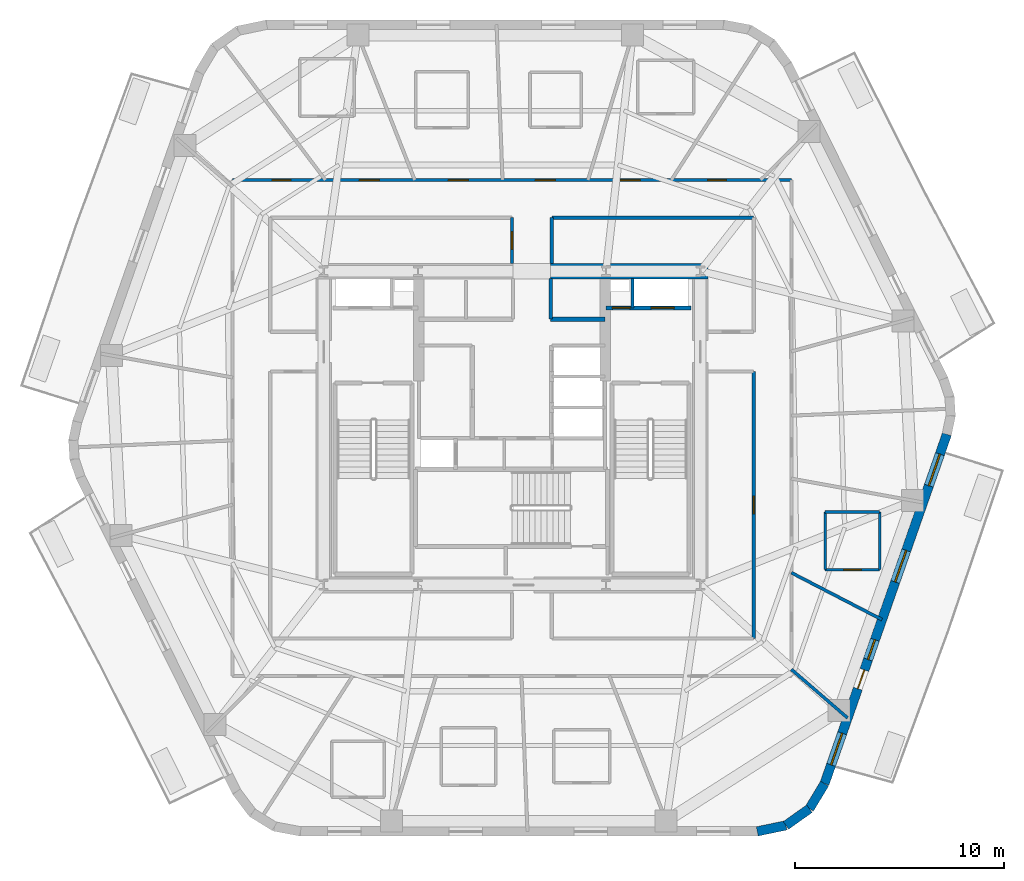
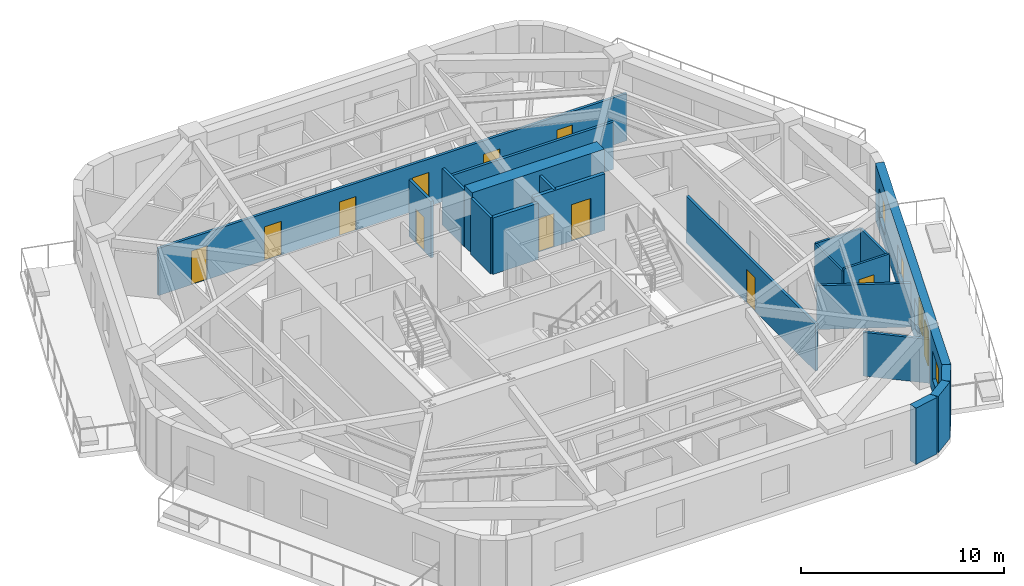
# One storey, part 5 of 10: 20 walls, 12 doors, 4 windows, 16 openings.
"""IFC4 building model written with IfcOpenShell, lengths in metres."""

from ifc_helpers import new_model, si_unit, direction, frame, frame_2d, origin, place, context, subcontext, project, spatial, rectangle, extrude, material, layer, layer_set, type_object, element, fill, save


model = new_model("IFC4")

# Units and contexts
model_context = context("Model", 3, precision=1e-05, world=origin(), true_north=direction((0.0, 1.0)))
body_context = subcontext(model_context, "Body", "Model", "MODEL_VIEW")
ifc_project = project(units=[si_unit("LENGTHUNIT", "METRE"), si_unit("AREAUNIT", "SQUARE_METRE"), si_unit("VOLUMEUNIT", "CUBIC_METRE"), si_unit("PLANEANGLEUNIT", "RADIAN"), si_unit("MASSUNIT", "GRAM", prefix="KILO")], contexts=[model_context])

# Site, building, storey
site_placement = place(None, origin())
site = spatial("IfcSite", under=ifc_project, at=site_placement, CompositionType="ELEMENT")
building_placement = place(site_placement, origin())
building = spatial("IfcBuilding", under=site, at=building_placement, Name="Kilnhurst Terrace Hotel", CompositionType="ELEMENT")
storey_placement = place(building_placement, frame((0.0, 0.0, 179.300048828125)))
storey = spatial("IfcBuildingStorey", under=building, at=storey_placement, Name="L44", CompositionType="ELEMENT", Elevation=179.300048828125)

# Walls
ifc_material_1 = material(Name="Precast concrete C40/50", Category="concrete")
ifc_layer_1 = layer(ifc_material_1, 0.449951171875, Name="Precast concrete C40/50")
ifc_layer_set_1 = layer_set([ifc_layer_1], Name="Precast concrete C40/50")
wall_type_1 = type_object("IfcWallType", Name="WL-BRK-450", PredefinedType="SOLIDWALL", material=ifc_layer_set_1)
wall_1_placement = place(storey_placement, frame((11.720458984375, -19.27490234375, 0.0), z_axis=(0.0, 0.0, 1.0), x_axis=(0.97893106758, 0.204191001093, 0.0)))
element("IfcWall", 1, at=wall_1_placement, inside=storey, type_object=wall_type_1, Name="L44 Rounded Corner Brick Wall C2.1", PredefinedType="SOLIDWALL", context=body_context, shape_type="SweptSolid", body=[
    extrude(rectangle(XDim=1.400146484375, YDim=0.449951171875, at=frame_2d((0.7001953125, 0.0))), origin(), (0.0, 0.0, 1.0), 3.39990234375),
])
wall_2_placement = place(storey_placement, frame((13.091064453125, -18.989013671875, 0.0), z_axis=(0.0, 0.0, 1.0), x_axis=(0.815574637848, 0.578651890258, 0.0)))
element("IfcWall", 2, at=wall_2_placement, inside=storey, type_object=wall_type_1, Name="L44 Rounded Corner Brick Wall C2.2", PredefinedType="SOLIDWALL", context=body_context, shape_type="SweptSolid", body=[
    extrude(rectangle(XDim=1.376708984375, YDim=0.449951171875, at=frame_2d((0.6884765625, 0.0))), origin(), (0.0, 0.0, 1.0), 3.39990234375),
])
wall_3_placement = place(storey_placement, frame((14.2138671875, -18.1923828125, 0.0), z_axis=(0.0, 0.0, 1.0), x_axis=(0.516340945502, 0.856383108193, 0.0)))
element("IfcWall", 3, at=wall_3_placement, inside=storey, type_object=wall_type_1, Name="L44 Rounded Corner Brick Wall C2.3", PredefinedType="SOLIDWALL", context=body_context, shape_type="SweptSolid", body=[
    extrude(rectangle(XDim=1.400146484375, YDim=0.449951171875, at=frame_2d((0.7001953125, 0.0))), origin(), (0.0, 0.0, 1.0), 3.39990234375),
])

# Wall, openings, door, windows
wall_4_placement = place(storey_placement, frame((14.936767578125, -16.993408203125, 0.0), z_axis=(0.0, 0.0, 1.0), x_axis=(0.330431575061, 0.943829949834, 0.0)))
wall_4 = element("IfcWall", 4, at=wall_4_placement, inside=storey, type_object=wall_type_1, Name="L44 Exterior Brick Facade Wall F2", PredefinedType="SOLIDWALL", context=body_context, shape_type="SweptSolid", body=[
    extrude(rectangle(XDim=17.68896484375, YDim=0.449951171875, at=frame_2d((8.844482421875, 0.0))), origin(), (0.0, 0.0, 1.0), 3.39990234375),
])
opening_1_placement = place(wall_4_placement, frame((4.806884765625, 0.0, 0.0)))
opening_1 = element("IfcOpeningElement", 5, at=opening_1_placement, cuts=wall_4, Name="Opening BD-950", PredefinedType="OPENING", context=body_context, shape_type="SweptSolid", body=[
    extrude(rectangle(XDim=0.949951171875, YDim=2.14990234375, at=frame_2d((0.47509765625, 1.074951171875))), frame((0.0, 0.23486328125, 0.0), z_axis=(0.0, -1.0, 0.0), x_axis=(1.0, 0.0, 0.0)), (0.0, 0.0, 1.0), 0.469970703125),
])
opening_2_placement = place(wall_4_placement, frame((0.949951171875, 0.0, 0.800048828125)))
opening_2 = element("IfcOpeningElement", 6, at=opening_2_placement, cuts=wall_4, Name="Opening W-05", PredefinedType="OPENING", context=body_context, shape_type="SweptSolid", body=[
    extrude(rectangle(XDim=1.60009765625, YDim=1.75, at=frame_2d((0.800048828125, 0.875))), frame((0.0, 0.23486328125, 0.0), z_axis=(0.0, -1.0, 0.0), x_axis=(1.0, 0.0, 0.0)), (0.0, 0.0, 1.0), 0.469970703125),
])
opening_3_placement = place(wall_4_placement, frame((6.285888671875, 0.0, 0.800048828125)))
opening_3 = element("IfcOpeningElement", 7, at=opening_3_placement, cuts=wall_4, Name="Opening W-08", PredefinedType="OPENING", context=body_context, shape_type="SweptSolid", body=[
    extrude(rectangle(XDim=1.0, YDim=1.64990234375, at=frame_2d((0.5, 0.824951171875))), frame((0.0, 0.23486328125, 0.0), z_axis=(0.0, -1.0, 0.0), x_axis=(1.0, 0.0, 0.0)), (0.0, 0.0, 1.0), 0.469970703125),
])
opening_4_placement = place(wall_4_placement, frame((10.2099609375, 0.0, 0.800048828125)))
opening_4 = element("IfcOpeningElement", 8, at=opening_4_placement, cuts=wall_4, Name="Opening W-05", PredefinedType="OPENING", context=body_context, shape_type="SweptSolid", body=[
    extrude(rectangle(XDim=1.60009765625, YDim=1.75, at=frame_2d((0.800048828125, 0.875))), frame((0.0, 0.23486328125, 0.0), z_axis=(0.0, -1.0, 0.0), x_axis=(1.0, 0.0, 0.0)), (0.0, 0.0, 1.0), 0.469970703125),
])
opening_5_placement = place(wall_4_placement, frame((15.083984375, 0.0, 0.800048828125)))
opening_5 = element("IfcOpeningElement", 9, at=opening_5_placement, cuts=wall_4, Name="Opening W-05", PredefinedType="OPENING", context=body_context, shape_type="SweptSolid", body=[
    extrude(rectangle(XDim=1.60009765625, YDim=1.75, at=frame_2d((0.800048828125, 0.875))), frame((0.0, 0.23486328125, 0.0), z_axis=(0.0, -1.0, 0.0), x_axis=(1.0, 0.0, 0.0)), (0.0, 0.0, 1.0), 0.469970703125),
])
ifc_material_2 = material(Name="Thermally Broken Bronze Aluminium Alloy 6063-T6 and Laminated Glass", Category="aluminium")
door_type_1 = type_object("IfcDoorType", Name="DR-EXT-BAL-950", OperationType="NOTDEFINED", PredefinedType="DOOR", material=ifc_material_2)
door_1_placement = place(opening_1_placement, origin())
door_1 = element("IfcDoor", 10, at=door_1_placement, inside=storey, type_object=door_type_1, Name="L44 Planted Balcony Door BAL-L1A", OperationType="SINGLE_SWING_RIGHT", OverallHeight=2.14990234375, OverallWidth=0.949951171875, PredefinedType="DOOR", context=body_context, shape_type="SweptSolid", body=[
    extrude(rectangle(XDim=0.949951171875, YDim=2.14990234375, at=frame_2d((0.47509765625, 1.074951171875))), frame((0.0, 0.02490234375, 0.0), z_axis=(0.0, -1.0, 0.0), x_axis=(1.0, 0.0, 0.0)), (0.0, 0.0, 1.0), 0.050048828125),
])
fill(opening_1, door_1)
ifc_material_3 = material(Name="Thermally Broken Bronze Aluminium Alloy 6063-T6 and Low-E Glass", Category="aluminium")
window_type_1 = type_object("IfcWindowType", Name="WIN-1000X1650", PartitioningType="SINGLE_PANEL", PredefinedType="WINDOW", material=ifc_material_3)
window_1_placement = place(opening_3_placement, origin())
window_1 = element("IfcWindow", 11, at=window_1_placement, inside=storey, type_object=window_type_1, Name="L44 Deep-Set Masonry Window F2.2", OverallHeight=1.64990234375, OverallWidth=1.0, PartitioningType="SINGLE_PANEL", PredefinedType="WINDOW", context=body_context, shape_type="SweptSolid", body=[
    extrude(rectangle(XDim=1.0, YDim=1.64990234375, at=frame_2d((0.5, 0.824951171875))), frame((0.0, 0.030029296875, 0.0), z_axis=(0.0, -1.0, 0.0), x_axis=(1.0, 0.0, 0.0)), (0.0, 0.0, 1.0), 0.06005859375),
])
fill(opening_3, window_1)
window_type_2 = type_object("IfcWindowType", Name="WIN-1600X1750", PartitioningType="SINGLE_PANEL", PredefinedType="WINDOW", material=ifc_material_3)
window_2_placement = place(opening_2_placement, origin())
window_2 = element("IfcWindow", 12, at=window_2_placement, inside=storey, type_object=window_type_2, Name="L44 Deep-Set Masonry Window F2.1", OverallHeight=1.75, OverallWidth=1.60009765625, PartitioningType="SINGLE_PANEL", PredefinedType="WINDOW", context=body_context, shape_type="SweptSolid", body=[
    extrude(rectangle(XDim=1.60009765625, YDim=1.75, at=frame_2d((0.800048828125, 0.875))), frame((0.0, 0.030029296875, 0.0), z_axis=(0.0, -1.0, 0.0), x_axis=(1.0, 0.0, 0.0)), (0.0, 0.0, 1.0), 0.06005859375),
])
fill(opening_2, window_2)
window_3_placement = place(opening_4_placement, origin())
window_3 = element("IfcWindow", 13, at=window_3_placement, inside=storey, type_object=window_type_2, Name="L44 Deep-Set Masonry Window F2.3", OverallHeight=1.75, OverallWidth=1.60009765625, PartitioningType="SINGLE_PANEL", PredefinedType="WINDOW", context=body_context, shape_type="SweptSolid", body=[
    extrude(rectangle(XDim=1.60009765625, YDim=1.75, at=frame_2d((0.800048828125, 0.875))), frame((0.0, 0.030029296875, 0.0), z_axis=(0.0, -1.0, 0.0), x_axis=(1.0, 0.0, 0.0)), (0.0, 0.0, 1.0), 0.06005859375),
])
fill(opening_4, window_3)
window_4_placement = place(opening_5_placement, origin())
window_4 = element("IfcWindow", 14, at=window_4_placement, inside=storey, type_object=window_type_2, Name="L44 Deep-Set Masonry Window F2.4", OverallHeight=1.75, OverallWidth=1.60009765625, PartitioningType="SINGLE_PANEL", PredefinedType="WINDOW", context=body_context, shape_type="SweptSolid", body=[
    extrude(rectangle(XDim=1.60009765625, YDim=1.75, at=frame_2d((0.800048828125, 0.875))), frame((0.0, 0.030029296875, 0.0), z_axis=(0.0, -1.0, 0.0), x_axis=(1.0, 0.0, 0.0)), (0.0, 0.0, 1.0), 0.06005859375),
])
fill(opening_5, window_4)

# Wall, openings, doors
ifc_material_4 = material(Name="Acoustic Double-Gypsum Corridor Partition Assembly")
ifc_layer_2 = layer(ifc_material_4, 0.14990234375, Name="Acoustic Double-Gypsum Corridor Partition Assembly")
ifc_layer_set_2 = layer_set([ifc_layer_2], Name="Acoustic Double-Gypsum Corridor Partition Assembly")
wall_type_2 = type_object("IfcWallType", Name="WL-COR-150", PredefinedType="PARTITIONING", material=ifc_layer_set_2)
wall_5_placement = place(storey_placement, frame((-13.35009765625, 11.85009765625, 0.0), z_axis=(0.0, 0.0, 1.0), x_axis=(1.0, 0.0, 0.0)))
wall_5 = element("IfcWall", 15, at=wall_5_placement, inside=storey, type_object=wall_type_2, Name="L44 Interior Wall WL-L44-COR-03", PredefinedType="PARTITIONING", context=body_context, shape_type="SweptSolid", body=[
    extrude(rectangle(XDim=26.7001953125, YDim=0.14990234375, at=frame_2d((13.35009765625, 0.0))), origin(), (0.0, 0.0, 1.0), 2.83984375),
])
opening_6_placement = place(wall_5_placement, frame((22.699951171875, 0.0, 0.0)))
opening_6 = element("IfcOpeningElement", 16, at=opening_6_placement, cuts=wall_5, Name="Opening D-60C", PredefinedType="OPENING", context=body_context, shape_type="SweptSolid", body=[
    extrude(rectangle(XDim=0.89990234375, YDim=2.030029296875, at=frame_2d((0.449951171875, 1.01513671875))), frame((0.0, 0.0849609375, 0.0), z_axis=(0.0, -1.0, 0.0), x_axis=(1.0, 0.0, 0.0)), (0.0, 0.0, 1.0), 0.169921875),
])
opening_7_placement = place(wall_5_placement, frame((18.52294921875, 0.0, 0.0)))
opening_7 = element("IfcOpeningElement", 17, at=opening_7_placement, cuts=wall_5, Name="Opening D-60B", PredefinedType="OPENING", context=body_context, shape_type="SweptSolid", body=[
    extrude(rectangle(XDim=0.949951171875, YDim=2.030029296875, at=frame_2d((0.47509765625, 1.01513671875))), frame((0.0, 0.0849609375, 0.0), z_axis=(0.0, -1.0, 0.0), x_axis=(1.0, 0.0, 0.0)), (0.0, 0.0, 1.0), 0.169921875),
])
opening_8_placement = place(wall_5_placement, frame((14.468994140625, 0.0, 0.0)))
opening_8 = element("IfcOpeningElement", 18, at=opening_8_placement, cuts=wall_5, Name="Opening D-60B", PredefinedType="OPENING", context=body_context, shape_type="SweptSolid", body=[
    extrude(rectangle(XDim=0.949951171875, YDim=2.030029296875, at=frame_2d((0.47509765625, 1.01513671875))), frame((0.0, 0.0849609375, 0.0), z_axis=(0.0, -1.0, 0.0), x_axis=(1.0, 0.0, 0.0)), (0.0, 0.0, 1.0), 0.169921875),
])
opening_9_placement = place(wall_5_placement, frame((10.31396484375, 0.0, 0.0)))
opening_9 = element("IfcOpeningElement", 19, at=opening_9_placement, cuts=wall_5, Name="Opening D-60B", PredefinedType="OPENING", context=body_context, shape_type="SweptSolid", body=[
    extrude(rectangle(XDim=0.949951171875, YDim=2.030029296875, at=frame_2d((0.47509765625, 1.01513671875))), frame((0.0, 0.0849609375, 0.0), z_axis=(0.0, -1.0, 0.0), x_axis=(1.0, 0.0, 0.0)), (0.0, 0.0, 1.0), 0.169921875),
])
opening_10_placement = place(wall_5_placement, frame((6.06103515625, 0.0, 0.0)))
opening_10 = element("IfcOpeningElement", 20, at=opening_10_placement, cuts=wall_5, Name="Opening D-60B", PredefinedType="OPENING", context=body_context, shape_type="SweptSolid", body=[
    extrude(rectangle(XDim=0.949951171875, YDim=2.030029296875, at=frame_2d((0.47509765625, 1.01513671875))), frame((0.0, 0.0849609375, 0.0), z_axis=(0.0, -1.0, 0.0), x_axis=(1.0, 0.0, 0.0)), (0.0, 0.0, 1.0), 0.169921875),
])
opening_11_placement = place(wall_5_placement, frame((1.885986328125, 0.0, 0.0)))
opening_11 = element("IfcOpeningElement", 21, at=opening_11_placement, cuts=wall_5, Name="Opening D-60C", PredefinedType="OPENING", context=body_context, shape_type="SweptSolid", body=[
    extrude(rectangle(XDim=0.89990234375, YDim=2.030029296875, at=frame_2d((0.449951171875, 1.01513671875))), frame((0.0, 0.0849609375, 0.0), z_axis=(0.0, -1.0, 0.0), x_axis=(1.0, 0.0, 0.0)), (0.0, 0.0, 1.0), 0.169921875),
])
ifc_material_5 = material(Name="Painted Solid-Core Service Fire Door")
door_type_2 = type_object("IfcDoorType", Name="DR-FD60-900", OperationType="NOTDEFINED", PredefinedType="DOOR", material=ifc_material_5)
door_2_placement = place(opening_6_placement, origin())
door_2 = element("IfcDoor", 22, at=door_2_placement, inside=storey, type_object=door_type_2, Name="L44 Botanical Reading Lounge Door 3", OperationType="SINGLE_SWING_LEFT", OverallHeight=2.030029296875, OverallWidth=0.89990234375, PredefinedType="DOOR", context=body_context, shape_type="SweptSolid", body=[
    extrude(rectangle(XDim=0.89990234375, YDim=2.030029296875, at=frame_2d((0.449951171875, 1.01513671875))), frame((0.0, 0.02490234375, 0.0), z_axis=(0.0, -1.0, 0.0), x_axis=(1.0, 0.0, 0.0)), (0.0, 0.0, 1.0), 0.050048828125),
])
fill(opening_6, door_2)
door_3_placement = place(opening_11_placement, origin())
door_3 = element("IfcDoor", 23, at=door_3_placement, inside=storey, type_object=door_type_2, Name="L44 Private Meeting Salon Door 8", OperationType="SINGLE_SWING_RIGHT", OverallHeight=2.030029296875, OverallWidth=0.89990234375, PredefinedType="DOOR", context=body_context, shape_type="SweptSolid", body=[
    extrude(rectangle(XDim=0.89990234375, YDim=2.030029296875, at=frame_2d((0.449951171875, 1.01513671875))), frame((0.0, 0.02490234375, 0.0), z_axis=(0.0, -1.0, 0.0), x_axis=(1.0, 0.0, 0.0)), (0.0, 0.0, 1.0), 0.050048828125),
])
fill(opening_11, door_3)
ifc_material_6 = material(Name="Acoustic Walnut Veneer Solid-Core Fire Door")
door_type_3 = type_object("IfcDoorType", Name="DR-FD60-950", OperationType="NOTDEFINED", PredefinedType="DOOR", material=ifc_material_6)
door_4_placement = place(opening_7_placement, origin())
door_4 = element("IfcDoor", 24, at=door_4_placement, inside=storey, type_object=door_type_3, Name="L44 Guest Room Entry Door 4", OperationType="SINGLE_SWING_RIGHT", OverallHeight=2.030029296875, OverallWidth=0.949951171875, PredefinedType="DOOR", context=body_context, shape_type="SweptSolid", body=[
    extrude(rectangle(XDim=0.949951171875, YDim=2.030029296875, at=frame_2d((0.47509765625, 1.01513671875))), frame((0.0, 0.02490234375, 0.0), z_axis=(0.0, -1.0, 0.0), x_axis=(1.0, 0.0, 0.0)), (0.0, 0.0, 1.0), 0.050048828125),
])
fill(opening_7, door_4)
door_5_placement = place(opening_8_placement, origin())
door_5 = element("IfcDoor", 25, at=door_5_placement, inside=storey, type_object=door_type_3, Name="L44 Guest Room Entry Door 5", OperationType="SINGLE_SWING_LEFT", OverallHeight=2.030029296875, OverallWidth=0.949951171875, PredefinedType="DOOR", context=body_context, shape_type="SweptSolid", body=[
    extrude(rectangle(XDim=0.949951171875, YDim=2.030029296875, at=frame_2d((0.47509765625, 1.01513671875))), frame((0.0, 0.02490234375, 0.0), z_axis=(0.0, -1.0, 0.0), x_axis=(1.0, 0.0, 0.0)), (0.0, 0.0, 1.0), 0.050048828125),
])
fill(opening_8, door_5)
door_6_placement = place(opening_9_placement, origin())
door_6 = element("IfcDoor", 26, at=door_6_placement, inside=storey, type_object=door_type_3, Name="L44 Guest Room Entry Door 6", OperationType="SINGLE_SWING_RIGHT", OverallHeight=2.030029296875, OverallWidth=0.949951171875, PredefinedType="DOOR", context=body_context, shape_type="SweptSolid", body=[
    extrude(rectangle(XDim=0.949951171875, YDim=2.030029296875, at=frame_2d((0.47509765625, 1.01513671875))), frame((0.0, 0.02490234375, 0.0), z_axis=(0.0, -1.0, 0.0), x_axis=(1.0, 0.0, 0.0)), (0.0, 0.0, 1.0), 0.050048828125),
])
fill(opening_9, door_6)
door_7_placement = place(opening_10_placement, origin())
door_7 = element("IfcDoor", 27, at=door_7_placement, inside=storey, type_object=door_type_3, Name="L44 Guest Room Entry Door 7", OperationType="SINGLE_SWING_LEFT", OverallHeight=2.030029296875, OverallWidth=0.949951171875, PredefinedType="DOOR", context=body_context, shape_type="SweptSolid", body=[
    extrude(rectangle(XDim=0.949951171875, YDim=2.030029296875, at=frame_2d((0.47509765625, 1.01513671875))), frame((0.0, 0.02490234375, 0.0), z_axis=(0.0, -1.0, 0.0), x_axis=(1.0, 0.0, 0.0)), (0.0, 0.0, 1.0), 0.050048828125),
])
fill(opening_10, door_7)

# Wall, opening, door
wall_6_placement = place(storey_placement, frame((11.550048828125, -10.050048828125, 0.0), z_axis=(0.0, 0.0, 1.0), x_axis=(0.0, 1.0, 0.0)))
wall_6 = element("IfcWall", 28, at=wall_6_placement, inside=storey, type_object=wall_type_2, Name="L44 Interior Wall WL-L44-COR-05", PredefinedType="PARTITIONING", context=body_context, shape_type="SweptSolid", body=[
    extrude(rectangle(XDim=12.75, YDim=0.14990234375, at=frame_2d((6.375, 0.0))), origin(), (0.0, 0.0, 1.0), 2.83984375),
])
opening_12_placement = place(wall_6_placement, frame((5.949951171875, 0.0, 0.0)))
opening_12 = element("IfcOpeningElement", 29, at=opening_12_placement, cuts=wall_6, Name="Opening D-60D", PredefinedType="OPENING", context=body_context, shape_type="SweptSolid", body=[
    extrude(rectangle(XDim=0.85009765625, YDim=2.030029296875, at=frame_2d((0.425048828125, 1.01513671875))), frame((0.0, 0.0849609375, 0.0), z_axis=(0.0, -1.0, 0.0), x_axis=(1.0, 0.0, 0.0)), (0.0, 0.0, 1.0), 0.169921875),
])
ifc_material_7 = material(Name="Painted Hollow Metal Steel ASTM A36 Riser Door", Category="steel")
door_type_4 = type_object("IfcDoorType", Name="DR-FD60-850", OperationType="NOTDEFINED", PredefinedType="DOOR", material=ifc_material_7)
door_8_placement = place(opening_12_placement, origin())
door_8 = element("IfcDoor", 30, at=door_8_placement, inside=storey, type_object=door_type_4, Name="L44 Floor Electrical Switch Room Door", OperationType="SINGLE_SWING_RIGHT", OverallHeight=2.030029296875, OverallWidth=0.85009765625, PredefinedType="DOOR", context=body_context, shape_type="SweptSolid", body=[
    extrude(rectangle(XDim=0.85009765625, YDim=2.030029296875, at=frame_2d((0.425048828125, 1.01513671875))), frame((0.0, 0.02490234375, 0.0), z_axis=(0.0, -1.0, 0.0), x_axis=(1.0, 0.0, 0.0)), (0.0, 0.0, 1.0), 0.050048828125),
])
fill(opening_12, door_8)

# Walls
wall_7_placement = place(storey_placement, frame((11.550048828125, 10.050048828125, 0.0), z_axis=(0.0, 0.0, 1.0), x_axis=(-1.0, 0.0, 0.0)))
element("IfcWall", 31, at=wall_7_placement, inside=storey, type_object=wall_type_2, Name="L44 Interior Wall WL-L44-COR-09", PredefinedType="PARTITIONING", context=body_context, shape_type="SweptSolid", body=[
    extrude(rectangle(XDim=9.650146484375, YDim=0.14990234375, at=frame_2d((4.8251953125, 0.0))), origin(), (0.0, 0.0, 1.0), 2.83984375),
])
wall_8_placement = place(storey_placement, frame((1.89990234375, 10.050048828125, 0.0), z_axis=(0.0, 0.0, 1.0), x_axis=(0.0, -1.0, 0.0)))
element("IfcWall", 32, at=wall_8_placement, inside=storey, type_object=wall_type_2, Name="L44 Interior Wall WL-L44-COR-10", PredefinedType="PARTITIONING", context=body_context, shape_type="SweptSolid", body=[
    extrude(rectangle(XDim=2.175048828125, YDim=0.14990234375, at=frame_2d((1.08740234375, 0.0))), origin(), (0.0, 0.0, 1.0), 3.39990234375),
])

# Wall, opening, door
wall_9_placement = place(storey_placement, frame((0.0, 7.875, 0.0), z_axis=(0.0, 0.0, 1.0), x_axis=(0.0, 1.0, 0.0)))
wall_9 = element("IfcWall", 33, at=wall_9_placement, inside=storey, type_object=wall_type_2, Name="L44 Interior Wall WL-L44-COR-11", PredefinedType="PARTITIONING", context=body_context, shape_type="SweptSolid", body=[
    extrude(rectangle(XDim=2.175048828125, YDim=0.14990234375, at=frame_2d((1.08740234375, 0.0))), origin(), (0.0, 0.0, 1.0), 3.39990234375),
])
opening_13_placement = place(wall_9_placement, frame((0.6630859375, 0.0, 0.0)))
opening_13 = element("IfcOpeningElement", 34, at=opening_13_placement, cuts=wall_9, Name="Opening D-60D", PredefinedType="OPENING", context=body_context, shape_type="SweptSolid", body=[
    extrude(rectangle(XDim=0.85009765625, YDim=2.030029296875, at=frame_2d((0.425048828125, 1.01513671875))), frame((0.0, 0.0849609375, 0.0), z_axis=(0.0, -1.0, 0.0), x_axis=(1.0, 0.0, 0.0)), (0.0, 0.0, 1.0), 0.169921875),
])
door_9_placement = place(opening_13_placement, origin())
door_9 = element("IfcDoor", 35, at=door_9_placement, inside=storey, type_object=door_type_4, Name="L44 Floor Valet Equipment Store Door", OperationType="SINGLE_SWING_RIGHT", OverallHeight=2.030029296875, OverallWidth=0.85009765625, PredefinedType="DOOR", context=body_context, shape_type="SweptSolid", body=[
    extrude(rectangle(XDim=0.85009765625, YDim=2.030029296875, at=frame_2d((0.425048828125, 1.01513671875))), frame((0.0, 0.02490234375, 0.0), z_axis=(0.0, -1.0, 0.0), x_axis=(1.0, 0.0, 0.0)), (0.0, 0.0, 1.0), 0.050048828125),
])
fill(opening_13, door_9)

# Walls
ifc_material_8 = material(Name="Concrete C60/75", Category="concrete")
ifc_layer_3 = layer(ifc_material_8, 0.75, Name="Concrete C60/75")
ifc_layer_set_3 = layer_set([ifc_layer_3], Name="Concrete C60/75")
wall_type_3 = type_object("IfcWallType", Name="WL-CORE-750", PredefinedType="SHEAR", material=ifc_layer_set_3)
wall_10_placement = place(storey_placement, frame((1.85009765625, 7.5, 0.0), z_axis=(0.0, 0.0, 1.0), x_axis=(1.0, 0.0, 0.0)))
element("IfcWall", 36, at=wall_10_placement, inside=storey, type_object=wall_type_3, Name="L44 Core North East Shear Wall", PredefinedType="SHEAR", context=body_context, shape_type="SweptSolid", body=[
    extrude(rectangle(XDim=7.52490234375, YDim=0.75, at=frame_2d((3.762451171875, 0.0))), origin(), (0.0, 0.0, 1.0), 3.699951171875),
])
ifc_material_9 = material(Name="STC-58 Acoustic Twin-Frame Guestroom Demising Partition")
ifc_layer_4 = layer(ifc_material_9, 0.14990234375, Name="STC-58 Acoustic Twin-Frame Guestroom Demising Partition")
ifc_layer_set_4 = layer_set([ifc_layer_4], Name="STC-58 Acoustic Twin-Frame Guestroom Demising Partition")
wall_type_4 = type_object("IfcWallType", Name="WL-DEM-150", PredefinedType="PARTITIONING", material=ifc_layer_set_4)
wall_11_placement = place(storey_placement, frame((13.35009765625, -11.53271484375, 0.0), z_axis=(0.0, 0.0, 1.0), x_axis=(0.756711647314, -0.65374879183, 0.0)))
element("IfcWall", 37, at=wall_11_placement, inside=storey, type_object=wall_type_4, Name="L44 Interior Wall WL-L44-DEM-COL11-18-1", PredefinedType="PARTITIONING", context=body_context, shape_type="SweptSolid", body=[
    extrude(rectangle(XDim=3.549560546875, YDim=0.14990234375, at=frame_2d((1.77490234375, 0.0))), origin(), (0.0, 0.0, 1.0), 2.639892578125),
])
wall_12_placement = place(storey_placement, frame((13.35009765625, -6.9130859375, 0.0), z_axis=(0.0, 0.0, 1.0), x_axis=(0.887989298603, -0.459864116415, 0.0)))
element("IfcWall", 38, at=wall_12_placement, inside=storey, type_object=wall_type_4, Name="L44 Interior Wall WL-L44-DEM-MID11-19-1", PredefinedType="PARTITIONING", context=body_context, shape_type="SweptSolid", body=[
    extrude(rectangle(XDim=4.876708984375, YDim=0.14990234375, at=frame_2d((2.4384765625, 0.0))), origin(), (0.0, 0.0, 1.0), 2.639892578125),
])

# Wall, opening, door
ifc_material_10 = material(Name="120 mm Moisture-Resistant Tile-Backed Bathroom Partition")
ifc_layer_5 = layer(ifc_material_10, 0.1201171875, Name="120 mm Moisture-Resistant Tile-Backed Bathroom Partition")
ifc_layer_set_5 = layer_set([ifc_layer_5], Name="120 mm Moisture-Resistant Tile-Backed Bathroom Partition")
wall_type_5 = type_object("IfcWallType", Name="WL-PART-120", PredefinedType="PARTITIONING", material=ifc_layer_set_5)
wall_13_placement = place(storey_placement, frame((14.968994140625, -6.761962890625, 0.0), z_axis=(0.0, 0.0, 1.0), x_axis=(1.0, 0.0, 0.0)))
wall_13 = element("IfcWall", 39, at=wall_13_placement, inside=storey, type_object=wall_type_5, Name="L44 Interior Wall WL-L44-BTH-19-1", PredefinedType="PARTITIONING", context=body_context, shape_type="SweptSolid", body=[
    extrude(rectangle(XDim=2.60009765625, YDim=0.1201171875, at=frame_2d((1.300048828125, 0.0))), origin(), (0.0, 0.0, 1.0), 2.972412109375),
])
opening_14_placement = place(wall_13_placement, frame((0.875, 0.0, 0.0)))
opening_14 = element("IfcOpeningElement", 40, at=opening_14_placement, cuts=wall_13, Name="Opening D-08A", PredefinedType="OPENING", context=body_context, shape_type="SweptSolid", body=[
    extrude(rectangle(XDim=0.85009765625, YDim=2.030029296875, at=frame_2d((0.425048828125, 1.01513671875))), frame((0.0, 0.070068359375, 0.0), z_axis=(0.0, -1.0, 0.0), x_axis=(1.0, 0.0, 0.0)), (0.0, 0.0, 1.0), 0.14013671875),
])
ifc_material_11 = material(Name="Moisture-Resistant Lacquered En-suite Bathroom Door")
door_type_5 = type_object("IfcDoorType", Name="DR-INT-850", OperationType="NOTDEFINED", PredefinedType="DOOR", material=ifc_material_11)
door_10_placement = place(opening_14_placement, origin())
door_10 = element("IfcDoor", 41, at=door_10_placement, inside=storey, type_object=door_type_5, Name="L44 En-suite Bathroom Door 19", OperationType="SINGLE_SWING_RIGHT", OverallHeight=2.030029296875, OverallWidth=0.85009765625, PredefinedType="DOOR", context=body_context, shape_type="SweptSolid", body=[
    extrude(rectangle(XDim=0.85009765625, YDim=2.030029296875, at=frame_2d((0.425048828125, 1.01513671875))), frame((0.0, 0.02490234375, 0.0), z_axis=(0.0, -1.0, 0.0), x_axis=(1.0, 0.0, 0.0)), (0.0, 0.0, 1.0), 0.050048828125),
])
fill(opening_14, door_10)

# Walls
wall_14_placement = place(storey_placement, frame((17.569091796875, -6.761962890625, 0.0), z_axis=(0.0, 0.0, 1.0), x_axis=(0.0, 1.0, 0.0)))
element("IfcWall", 42, at=wall_14_placement, inside=storey, type_object=wall_type_5, Name="L44 Interior Wall WL-L44-BTH-19-2", PredefinedType="PARTITIONING", context=body_context, shape_type="SweptSolid", body=[
    extrude(rectangle(XDim=2.75, YDim=0.1201171875, at=frame_2d((1.375, 0.0))), origin(), (0.0, 0.0, 1.0), 2.83984375),
])
wall_15_placement = place(storey_placement, frame((17.569091796875, -4.011962890625, 0.0), z_axis=(0.0, 0.0, 1.0), x_axis=(-1.0, 0.0, 0.0)))
element("IfcWall", 43, at=wall_15_placement, inside=storey, type_object=wall_type_5, Name="L44 Interior Wall WL-L44-BTH-19-3", PredefinedType="PARTITIONING", context=body_context, shape_type="SweptSolid", body=[
    extrude(rectangle(XDim=2.60009765625, YDim=0.1201171875, at=frame_2d((1.300048828125, 0.0))), origin(), (0.0, 0.0, 1.0), 2.83984375),
])
wall_16_placement = place(storey_placement, frame((14.968994140625, -4.011962890625, 0.0), z_axis=(0.0, 0.0, 1.0), x_axis=(0.0, -1.0, 0.0)))
element("IfcWall", 44, at=wall_16_placement, inside=storey, type_object=wall_type_5, Name="L44 Interior Wall WL-L44-BTH-19-4", PredefinedType="PARTITIONING", context=body_context, shape_type="SweptSolid", body=[
    extrude(rectangle(XDim=2.75, YDim=0.1201171875, at=frame_2d((1.375, 0.0))), origin(), (0.0, 0.0, 1.0), 2.83984375),
])
ifc_material_12 = material(Name="Fire-Rated Gypsum Shaftliner Assembly")
ifc_layer_6 = layer(ifc_material_12, 0.14990234375, Name="Fire-Rated Gypsum Shaftliner Assembly")
ifc_layer_set_6 = layer_set([ifc_layer_6], Name="Fire-Rated Gypsum Shaftliner Assembly")
wall_type_6 = type_object("IfcWallType", Name="WL-SHAFT-150", PredefinedType="PARTITIONING", material=ifc_layer_set_6)
wall_17_placement = place(storey_placement, frame((5.75, 5.739990234375, 0.0), z_axis=(0.0, 0.0, 1.0), x_axis=(0.0, 1.0, 0.0)))
element("IfcWall", 45, at=wall_17_placement, inside=storey, type_object=wall_type_6, Name="L44 Interior Wall WL-L44-RIS2-DIV", PredefinedType="PARTITIONING", context=body_context, shape_type="SweptSolid", body=[
    extrude(rectangle(XDim=1.409912109375, YDim=0.14990234375, at=frame_2d((0.705078125, 0.0))), origin(), (0.0, 0.0, 1.0), 3.39990234375),
])
wall_18_placement = place(storey_placement, frame((1.85009765625, 5.199951171875, 0.0), z_axis=(0.0, 0.0, 1.0), x_axis=(0.0, 1.0, 0.0)))
element("IfcWall", 46, at=wall_18_placement, inside=storey, type_object=wall_type_6, Name="L44 Interior Wall WL-L44-HR-PORTAL-E", PredefinedType="PARTITIONING", context=body_context, shape_type="SweptSolid", body=[
    extrude(rectangle(XDim=1.949951171875, YDim=0.14990234375, at=frame_2d((0.97509765625, 0.0))), origin(), (0.0, 0.0, 1.0), 3.39990234375),
])

# Wall, openings, doors
ifc_material_13 = material(Name="Autoclaved Aerated Concrete C30/37 and Gypsum Shaft Assembly", Category="concrete")
ifc_layer_7 = layer(ifc_material_13, 0.199951171875, Name="Autoclaved Aerated Concrete C30/37 and Gypsum Shaft Assembly")
ifc_layer_set_7 = layer_set([ifc_layer_7], Name="Autoclaved Aerated Concrete C30/37 and Gypsum Shaft Assembly")
wall_type_7 = type_object("IfcWallType", Name="WL-SHAFT-200", PredefinedType="PARTITIONING", material=ifc_layer_set_7)
wall_19_placement = place(storey_placement, frame((4.5, 5.739990234375, 0.0), z_axis=(0.0, 0.0, 1.0), x_axis=(1.0, 0.0, 0.0)))
wall_19 = element("IfcWall", 47, at=wall_19_placement, inside=storey, type_object=wall_type_7, Name="L44 Interior Wall WL-L44-FSAE2-S", PredefinedType="PARTITIONING", context=body_context, shape_type="SweptSolid", body=[
    extrude(rectangle(XDim=4.050048828125, YDim=0.199951171875, at=frame_2d((2.02490234375, 0.0))), origin(), (0.0, 0.0, 1.0), 3.39990234375),
])
opening_15_placement = place(wall_19_placement, frame((0.300048828125, 0.0, 0.0)))
opening_15 = element("IfcOpeningElement", 48, at=opening_15_placement, cuts=wall_19, Name="Opening D-60D", PredefinedType="OPENING", context=body_context, shape_type="SweptSolid", body=[
    extrude(rectangle(XDim=0.85009765625, YDim=2.030029296875, at=frame_2d((0.425048828125, 1.01513671875))), frame((0.0, 0.10986328125, 0.0), z_axis=(0.0, -1.0, 0.0), x_axis=(1.0, 0.0, 0.0)), (0.0, 0.0, 1.0), 0.219970703125),
])
opening_16_placement = place(wall_19_placement, frame((2.14990234375, 0.0, 0.0)))
opening_16 = element("IfcOpeningElement", 49, at=opening_16_placement, cuts=wall_19, Name="Opening LD-F2", PredefinedType="OPENING", context=body_context, shape_type="SweptSolid", body=[
    extrude(rectangle(XDim=1.10009765625, YDim=2.199951171875, at=frame_2d((0.550048828125, 1.10009765625))), frame((0.0, 0.10986328125, 0.0), z_axis=(0.0, -1.0, 0.0), x_axis=(1.0, 0.0, 0.0)), (0.0, 0.0, 1.0), 0.219970703125),
])
door_11_placement = place(opening_15_placement, origin())
door_11 = element("IfcDoor", 50, at=door_11_placement, inside=storey, type_object=door_type_4, Name="L44 Telecom Riser Door", OperationType="SINGLE_SWING_RIGHT", OverallHeight=2.030029296875, OverallWidth=0.85009765625, PredefinedType="DOOR", context=body_context, shape_type="SweptSolid", body=[
    extrude(rectangle(XDim=0.85009765625, YDim=2.030029296875, at=frame_2d((0.425048828125, 1.01513671875))), frame((0.0, 0.02490234375, 0.0), z_axis=(0.0, -1.0, 0.0), x_axis=(1.0, 0.0, 0.0)), (0.0, 0.0, 1.0), 0.050048828125),
])
fill(opening_15, door_11)
ifc_material_14 = material(Name="Bronze-Anodized Stainless Steel AISI 316L Sliding Door", Category="steel")
door_type_6 = type_object("IfcDoorType", Name="DR-LIFT-1100", OperationType="NOTDEFINED", PredefinedType="DOOR", material=ifc_material_14)
door_12_placement = place(opening_16_placement, origin())
door_12 = element("IfcDoor", 51, at=door_12_placement, inside=storey, type_object=door_type_6, Name="L44 FSAE-2 Landing Door", OperationType="SLIDING_TO_RIGHT", OverallHeight=2.199951171875, OverallWidth=1.10009765625, PredefinedType="DOOR", context=body_context, shape_type="SweptSolid", body=[
    extrude(rectangle(XDim=1.10009765625, YDim=2.199951171875, at=frame_2d((0.550048828125, 1.10009765625))), frame((0.0, 0.02490234375, 0.0), z_axis=(0.0, -1.0, 0.0), x_axis=(1.0, 0.0, 0.0)), (0.0, 0.0, 1.0), 0.050048828125),
])
fill(opening_16, door_12)

# Wall
wall_20_placement = place(storey_placement, frame((1.85009765625, 5.199951171875, 0.0), z_axis=(0.0, 0.0, 1.0), x_axis=(1.0, 0.0, 0.0)))
element("IfcWall", 52, at=wall_20_placement, inside=storey, type_object=wall_type_7, Name="L44 Interior Wall WL-L44-HR-SE", PredefinedType="PARTITIONING", context=body_context, shape_type="SweptSolid", body=[
    extrude(rectangle(XDim=2.599853515625, YDim=0.199951171875, at=frame_2d((1.2998046875, 0.0))), origin(), (0.0, 0.0, 1.0), 3.39990234375),
])

save(model, "model.ifc")
